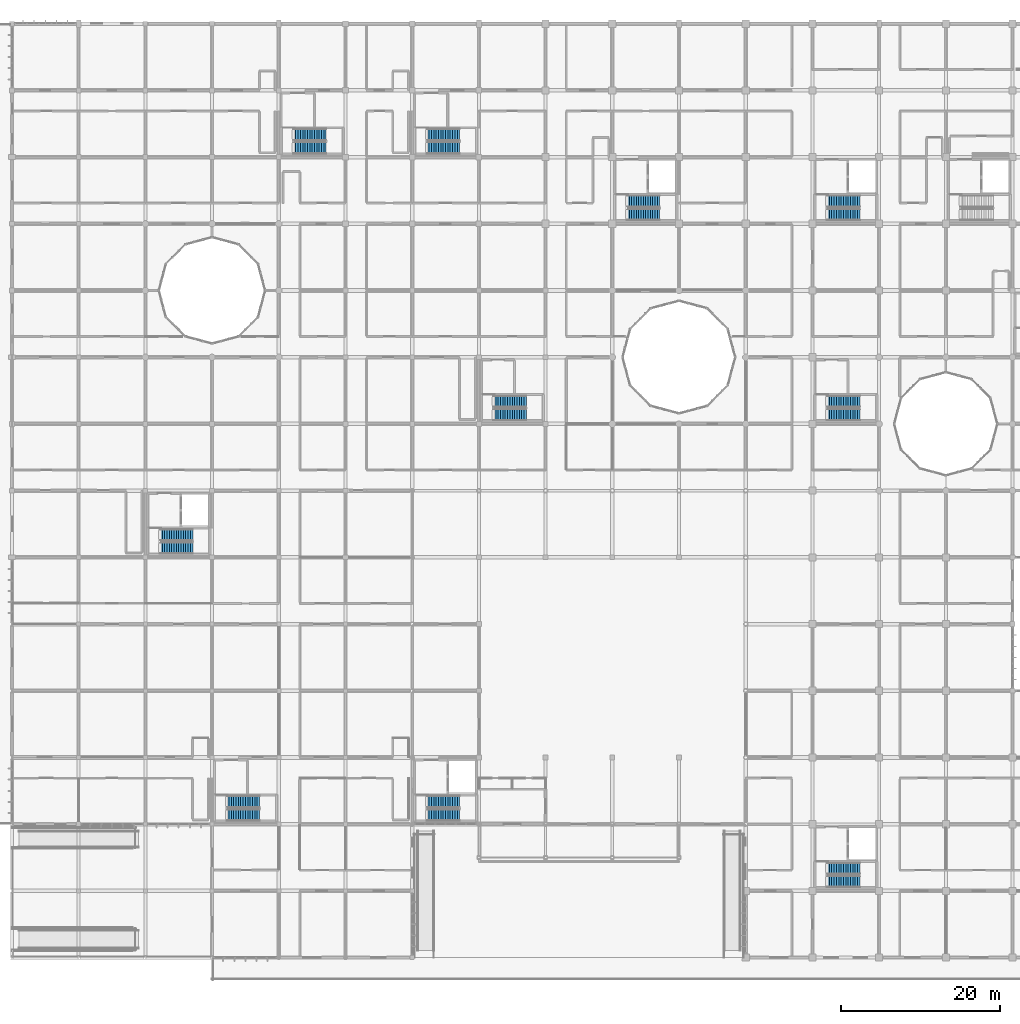
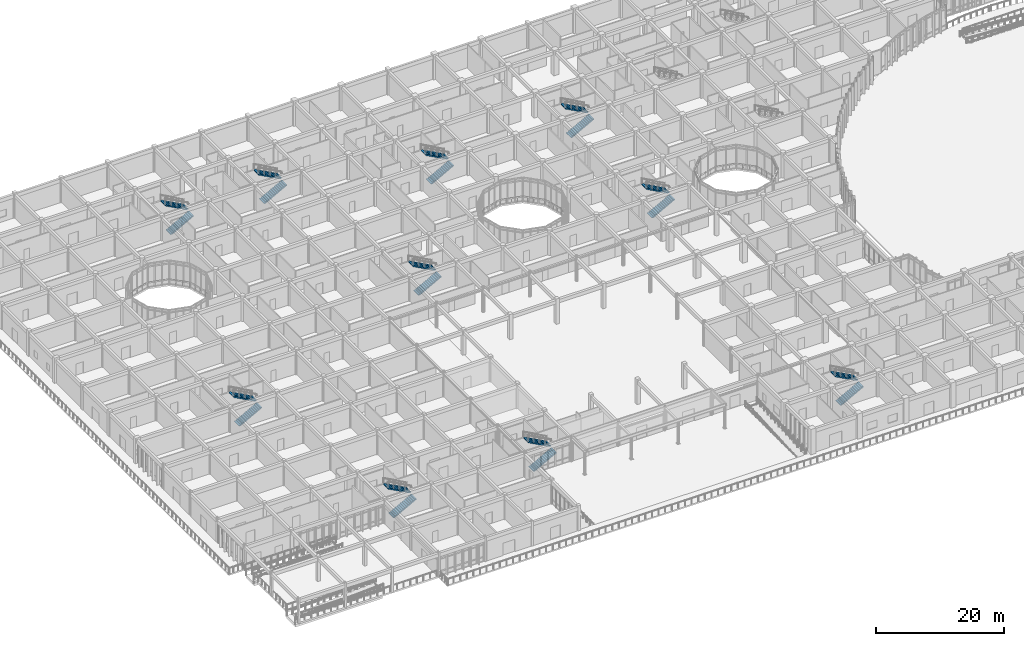
# One storey, part 113 of 138: 20 stair flights, 10 elements without a shape of their own.
"""IFC4 building model written with IfcOpenShell, lengths in metres."""

from ifc_helpers import new_model, si_unit, direction, frame, origin, place, context, subcontext, project, spatial, polyline, outline, extrude, material, type_object, element, aggregate, save


model = new_model("IFC4")

# Units and contexts
model_context = context("Model", 3, precision=1e-05, world=origin(), true_north=direction((0.0, 1.0)))
body_context = subcontext(model_context, "Body", "Model", "MODEL_VIEW")
ifc_project = project(units=[si_unit("LENGTHUNIT", "METRE"), si_unit("AREAUNIT", "SQUARE_METRE"), si_unit("VOLUMEUNIT", "CUBIC_METRE"), si_unit("PLANEANGLEUNIT", "RADIAN"), si_unit("MASSUNIT", "GRAM", prefix="KILO")], contexts=[model_context])

# Site, building, storey
site_placement = place(None, origin())
site = spatial("IfcSite", under=ifc_project, at=site_placement, CompositionType="ELEMENT")
building_placement = place(site_placement, origin())
building = spatial("IfcBuilding", under=site, at=building_placement, Name="Bramfleet General Hospital", CompositionType="ELEMENT")
storey_placement = place(building_placement, origin())
storey = spatial("IfcBuildingStorey", under=building, at=storey_placement, Name="L00", CompositionType="ELEMENT", Elevation=0.0)

# Stair, stair flights
ifc_material = material(Name="Concrete C35/45", Category="concrete")
stair_type = type_object("IfcStairType", Name="STR-T2", PredefinedType="HALF_TURN_STAIR", material=ifc_material)
stair_1_placement = place(storey_placement, origin())
stair_1 = element("IfcStair", 1, at=stair_1_placement, inside=storey, type_object=stair_type, Name="L00 Core C1 (Main Hall & Forecourt) Protected Escape Stair", PredefinedType="HALF_TURN_STAIR")
stair_flight_type = type_object("IfcStairFlightType", Name="STF-T2", PredefinedType="STRAIGHT", material=ifc_material)
stair_flight_1_placement = place(storey_placement, frame((52.239990234375, 17.969970703125, 0.0), z_axis=(0.0, 0.0, 1.0), x_axis=(1.0, 0.0, 0.0)))
stair_flight_1 = element("IfcStairFlight", 2, at=stair_flight_1_placement, type_object=stair_flight_type, Name="ST-C1 flight 1", NumberOfRisers=15, NumberOfTreads=14, PredefinedType="STRAIGHT", RiserHeight=0.16, TreadLength=0.295, context=body_context, shape_type="SweptSolid", body=[
    extrude(outline(polyline([(0.0, 0.0), (0.0, 0.159912109375), (0.294921875, 0.159912109375), (0.294921875, 0.320068359375), (0.590087890625, 0.320068359375), (0.590087890625, 0.47998046875), (0.885009765625, 0.47998046875), (0.885009765625, 0.639892578125), (1.179931640625, 0.639892578125), (1.179931640625, 0.800048828125), (1.47509765625, 0.800048828125), (1.47509765625, 0.9599609375), (1.77001953125, 0.9599609375), (1.77001953125, 1.1201171875), (2.06494140625, 1.1201171875), (2.06494140625, 1.280029296875), (2.360107421875, 1.280029296875), (2.360107421875, 1.43994140625), (2.655029296875, 1.43994140625), (2.655029296875, 1.60009765625), (2.949951171875, 1.60009765625), (2.949951171875, 1.760009765625), (3.2451171875, 1.760009765625), (3.2451171875, 1.919921875), (3.5400390625, 1.919921875), (3.5400390625, 2.080078125), (3.8349609375, 2.080078125), (3.8349609375, 2.239990234375), (4.1298828125, 2.239990234375), (4.1298828125, 2.39990234375), (4.1298828125, 2.05810546875), (0.33544921875, 0.0), (0.0, 0.0)])), frame((0.0, 0.75, 0.0), z_axis=(0.0, -1.0, 0.0), x_axis=(1.0, 0.0, 0.0)), (0.0, 0.0, 1.0), 1.5),
])
stair_flight_2_placement = place(storey_placement, frame((56.3701171875, 19.6298828125, 2.39990234375), z_axis=(0.0, 0.0, 1.0), x_axis=(-1.0, 0.0, 0.0)))
stair_flight_2 = element("IfcStairFlight", 3, at=stair_flight_2_placement, type_object=stair_flight_type, Name="ST-C1 flight 2", NumberOfRisers=15, NumberOfTreads=14, PredefinedType="STRAIGHT", RiserHeight=0.16, TreadLength=0.295, context=body_context, shape_type="SweptSolid", body=[
    extrude(outline(polyline([(0.0, 0.0), (0.0, 0.159912109375), (0.294921875, 0.159912109375), (0.294921875, 0.320068359375), (0.590087890625, 0.320068359375), (0.590087890625, 0.47998046875), (0.885009765625, 0.47998046875), (0.885009765625, 0.639892578125), (1.179931640625, 0.639892578125), (1.179931640625, 0.800048828125), (1.47509765625, 0.800048828125), (1.47509765625, 0.9599609375), (1.77001953125, 0.9599609375), (1.77001953125, 1.1201171875), (2.06494140625, 1.1201171875), (2.06494140625, 1.280029296875), (2.360107421875, 1.280029296875), (2.360107421875, 1.43994140625), (2.655029296875, 1.43994140625), (2.655029296875, 1.60009765625), (2.949951171875, 1.60009765625), (2.949951171875, 1.760009765625), (3.2451171875, 1.760009765625), (3.2451171875, 1.919921875), (3.5400390625, 1.919921875), (3.5400390625, 2.080078125), (3.8349609375, 2.080078125), (3.8349609375, 2.239990234375), (4.1298828125, 2.239990234375), (4.1298828125, 2.39990234375), (4.1298828125, 2.05810546875), (0.33544921875, 0.0), (0.0, 0.0)])), frame((0.0, 0.75, 0.0), z_axis=(0.0, -1.0, 0.0), x_axis=(1.0, 0.0, 0.0)), (0.0, 0.0, 1.0), 1.5),
])
aggregate(stair_1, [stair_flight_1, stair_flight_2])

stair_2_placement = place(storey_placement, origin())
stair_2 = element("IfcStair", 4, at=stair_2_placement, inside=storey, type_object=stair_type, Name="L00 Core C2 (Emergency & Surgical) Protected Escape Stair", PredefinedType="HALF_TURN_STAIR")
stair_flight_3_placement = place(storey_placement, frame((18.639892578125, 51.570068359375, 0.0), z_axis=(0.0, 0.0, 1.0), x_axis=(1.0, 0.0, 0.0)))
stair_flight_3 = element("IfcStairFlight", 5, at=stair_flight_3_placement, type_object=stair_flight_type, Name="ST-C2 flight 1", NumberOfRisers=15, NumberOfTreads=14, PredefinedType="STRAIGHT", RiserHeight=0.16, TreadLength=0.295, context=body_context, shape_type="SweptSolid", body=[
    extrude(outline(polyline([(0.0, 0.0), (0.0, 0.159912109375), (0.294921875, 0.159912109375), (0.294921875, 0.320068359375), (0.590087890625, 0.320068359375), (0.590087890625, 0.47998046875), (0.885009765625, 0.47998046875), (0.885009765625, 0.639892578125), (1.179931640625, 0.639892578125), (1.179931640625, 0.800048828125), (1.47509765625, 0.800048828125), (1.47509765625, 0.9599609375), (1.77001953125, 0.9599609375), (1.77001953125, 1.1201171875), (2.06494140625, 1.1201171875), (2.06494140625, 1.280029296875), (2.360107421875, 1.280029296875), (2.360107421875, 1.43994140625), (2.655029296875, 1.43994140625), (2.655029296875, 1.60009765625), (2.949951171875, 1.60009765625), (2.949951171875, 1.760009765625), (3.2451171875, 1.760009765625), (3.2451171875, 1.919921875), (3.5400390625, 1.919921875), (3.5400390625, 2.080078125), (3.8349609375, 2.080078125), (3.8349609375, 2.239990234375), (4.1298828125, 2.239990234375), (4.1298828125, 2.39990234375), (4.1298828125, 2.05810546875), (0.33544921875, 0.0), (0.0, 0.0)])), frame((0.0, 0.75, 0.0), z_axis=(0.0, -1.0, 0.0), x_axis=(1.0, 0.0, 0.0)), (0.0, 0.0, 1.0), 1.5),
])
stair_flight_4_placement = place(storey_placement, frame((22.77001953125, 53.22998046875, 2.39990234375), z_axis=(0.0, 0.0, 1.0), x_axis=(-1.0, 0.0, 0.0)))
stair_flight_4 = element("IfcStairFlight", 6, at=stair_flight_4_placement, type_object=stair_flight_type, Name="ST-C2 flight 2", NumberOfRisers=15, NumberOfTreads=14, PredefinedType="STRAIGHT", RiserHeight=0.16, TreadLength=0.295, context=body_context, shape_type="SweptSolid", body=[
    extrude(outline(polyline([(0.0, 0.0), (0.0, 0.159912109375), (0.294921875, 0.159912109375), (0.294921875, 0.320068359375), (0.590087890625, 0.320068359375), (0.590087890625, 0.47998046875), (0.885009765625, 0.47998046875), (0.885009765625, 0.639892578125), (1.179931640625, 0.639892578125), (1.179931640625, 0.800048828125), (1.47509765625, 0.800048828125), (1.47509765625, 0.9599609375), (1.77001953125, 0.9599609375), (1.77001953125, 1.1201171875), (2.06494140625, 1.1201171875), (2.06494140625, 1.280029296875), (2.360107421875, 1.280029296875), (2.360107421875, 1.43994140625), (2.655029296875, 1.43994140625), (2.655029296875, 1.60009765625), (2.949951171875, 1.60009765625), (2.949951171875, 1.760009765625), (3.2451171875, 1.760009765625), (3.2451171875, 1.919921875), (3.5400390625, 1.919921875), (3.5400390625, 2.080078125), (3.8349609375, 2.080078125), (3.8349609375, 2.239990234375), (4.1298828125, 2.239990234375), (4.1298828125, 2.39990234375), (4.1298828125, 2.05810546875), (0.33544921875, 0.0), (0.0, 0.0)])), frame((0.0, 0.75, 0.0), z_axis=(0.0, -1.0, 0.0), x_axis=(1.0, 0.0, 0.0)), (0.0, 0.0, 1.0), 1.5),
])
aggregate(stair_2, [stair_flight_3, stair_flight_4])

stair_3_placement = place(storey_placement, origin())
stair_3 = element("IfcStair", 7, at=stair_3_placement, inside=storey, type_object=stair_type, Name="L00 Core C3 (South Ward Wing) Protected Escape Stair", PredefinedType="HALF_TURN_STAIR")
stair_flight_5_placement = place(storey_placement, frame((102.639892578125, 9.570068359375, 0.0), z_axis=(0.0, 0.0, 1.0), x_axis=(1.0, 0.0, 0.0)))
stair_flight_5 = element("IfcStairFlight", 8, at=stair_flight_5_placement, type_object=stair_flight_type, Name="ST-C3 flight 1", NumberOfRisers=15, NumberOfTreads=14, PredefinedType="STRAIGHT", RiserHeight=0.16, TreadLength=0.295, context=body_context, shape_type="SweptSolid", body=[
    extrude(outline(polyline([(0.0, 0.0), (0.0, 0.159912109375), (0.294921875, 0.159912109375), (0.294921875, 0.320068359375), (0.590087890625, 0.320068359375), (0.590087890625, 0.47998046875), (0.885009765625, 0.47998046875), (0.885009765625, 0.639892578125), (1.179931640625, 0.639892578125), (1.179931640625, 0.800048828125), (1.47509765625, 0.800048828125), (1.47509765625, 0.9599609375), (1.77001953125, 0.9599609375), (1.77001953125, 1.1201171875), (2.06494140625, 1.1201171875), (2.06494140625, 1.280029296875), (2.360107421875, 1.280029296875), (2.360107421875, 1.43994140625), (2.655029296875, 1.43994140625), (2.655029296875, 1.60009765625), (2.949951171875, 1.60009765625), (2.949951171875, 1.760009765625), (3.2451171875, 1.760009765625), (3.2451171875, 1.919921875), (3.5400390625, 1.919921875), (3.5400390625, 2.080078125), (3.8349609375, 2.080078125), (3.8349609375, 2.239990234375), (4.1298828125, 2.239990234375), (4.1298828125, 2.39990234375), (4.1298828125, 2.05810546875), (0.33544921875, 0.0), (0.0, 0.0)])), frame((0.0, 0.75, 0.0), z_axis=(0.0, -1.0, 0.0), x_axis=(1.0, 0.0, 0.0)), (0.0, 0.0, 1.0), 1.5),
])
stair_flight_6_placement = place(storey_placement, frame((106.77001953125, 11.22998046875, 2.39990234375), z_axis=(0.0, 0.0, 1.0), x_axis=(-1.0, 0.0, 0.0)))
stair_flight_6 = element("IfcStairFlight", 9, at=stair_flight_6_placement, type_object=stair_flight_type, Name="ST-C3 flight 2", NumberOfRisers=15, NumberOfTreads=14, PredefinedType="STRAIGHT", RiserHeight=0.16, TreadLength=0.295, context=body_context, shape_type="SweptSolid", body=[
    extrude(outline(polyline([(0.0, 0.0), (0.0, 0.159912109375), (0.294921875, 0.159912109375), (0.294921875, 0.320068359375), (0.590087890625, 0.320068359375), (0.590087890625, 0.47998046875), (0.885009765625, 0.47998046875), (0.885009765625, 0.639892578125), (1.179931640625, 0.639892578125), (1.179931640625, 0.800048828125), (1.47509765625, 0.800048828125), (1.47509765625, 0.9599609375), (1.77001953125, 0.9599609375), (1.77001953125, 1.1201171875), (2.06494140625, 1.1201171875), (2.06494140625, 1.280029296875), (2.360107421875, 1.280029296875), (2.360107421875, 1.43994140625), (2.655029296875, 1.43994140625), (2.655029296875, 1.60009765625), (2.949951171875, 1.60009765625), (2.949951171875, 1.760009765625), (3.2451171875, 1.760009765625), (3.2451171875, 1.919921875), (3.5400390625, 1.919921875), (3.5400390625, 2.080078125), (3.8349609375, 2.080078125), (3.8349609375, 2.239990234375), (4.1298828125, 2.239990234375), (4.1298828125, 2.39990234375), (4.1298828125, 2.05810546875), (0.33544921875, 0.0), (0.0, 0.0)])), frame((0.0, 0.75, 0.0), z_axis=(0.0, -1.0, 0.0), x_axis=(1.0, 0.0, 0.0)), (0.0, 0.0, 1.0), 1.5),
])
aggregate(stair_3, [stair_flight_5, stair_flight_6])

stair_4_placement = place(storey_placement, origin())
stair_4 = element("IfcStair", 10, at=stair_4_placement, inside=storey, type_object=stair_type, Name="L00 Core C4 (Central Spine & Helipad Trauma) Protected Escape Stair", PredefinedType="HALF_TURN_STAIR")
stair_flight_7_placement = place(storey_placement, frame((102.639892578125, 93.570068359375, 0.0), z_axis=(0.0, 0.0, 1.0), x_axis=(1.0, 0.0, 0.0)))
stair_flight_7 = element("IfcStairFlight", 11, at=stair_flight_7_placement, type_object=stair_flight_type, Name="ST-C4 flight 1", NumberOfRisers=15, NumberOfTreads=14, PredefinedType="STRAIGHT", RiserHeight=0.16, TreadLength=0.295, context=body_context, shape_type="SweptSolid", body=[
    extrude(outline(polyline([(0.0, 0.0), (0.0, 0.159912109375), (0.294921875, 0.159912109375), (0.294921875, 0.320068359375), (0.590087890625, 0.320068359375), (0.590087890625, 0.47998046875), (0.885009765625, 0.47998046875), (0.885009765625, 0.639892578125), (1.179931640625, 0.639892578125), (1.179931640625, 0.800048828125), (1.47509765625, 0.800048828125), (1.47509765625, 0.9599609375), (1.77001953125, 0.9599609375), (1.77001953125, 1.1201171875), (2.06494140625, 1.1201171875), (2.06494140625, 1.280029296875), (2.360107421875, 1.280029296875), (2.360107421875, 1.43994140625), (2.655029296875, 1.43994140625), (2.655029296875, 1.60009765625), (2.949951171875, 1.60009765625), (2.949951171875, 1.760009765625), (3.2451171875, 1.760009765625), (3.2451171875, 1.919921875), (3.5400390625, 1.919921875), (3.5400390625, 2.080078125), (3.8349609375, 2.080078125), (3.8349609375, 2.239990234375), (4.1298828125, 2.239990234375), (4.1298828125, 2.39990234375), (4.1298828125, 2.05810546875), (0.33544921875, 0.0), (0.0, 0.0)])), frame((0.0, 0.75, 0.0), z_axis=(0.0, -1.0, 0.0), x_axis=(1.0, 0.0, 0.0)), (0.0, 0.0, 1.0), 1.5),
])
stair_flight_8_placement = place(storey_placement, frame((106.77001953125, 95.22998046875, 2.39990234375), z_axis=(0.0, 0.0, 1.0), x_axis=(-1.0, 0.0, 0.0)))
stair_flight_8 = element("IfcStairFlight", 12, at=stair_flight_8_placement, type_object=stair_flight_type, Name="ST-C4 flight 2", NumberOfRisers=15, NumberOfTreads=14, PredefinedType="STRAIGHT", RiserHeight=0.16, TreadLength=0.295, context=body_context, shape_type="SweptSolid", body=[
    extrude(outline(polyline([(0.0, 0.0), (0.0, 0.159912109375), (0.294921875, 0.159912109375), (0.294921875, 0.320068359375), (0.590087890625, 0.320068359375), (0.590087890625, 0.47998046875), (0.885009765625, 0.47998046875), (0.885009765625, 0.639892578125), (1.179931640625, 0.639892578125), (1.179931640625, 0.800048828125), (1.47509765625, 0.800048828125), (1.47509765625, 0.9599609375), (1.77001953125, 0.9599609375), (1.77001953125, 1.1201171875), (2.06494140625, 1.1201171875), (2.06494140625, 1.280029296875), (2.360107421875, 1.280029296875), (2.360107421875, 1.43994140625), (2.655029296875, 1.43994140625), (2.655029296875, 1.60009765625), (2.949951171875, 1.60009765625), (2.949951171875, 1.760009765625), (3.2451171875, 1.760009765625), (3.2451171875, 1.919921875), (3.5400390625, 1.919921875), (3.5400390625, 2.080078125), (3.8349609375, 2.080078125), (3.8349609375, 2.239990234375), (4.1298828125, 2.239990234375), (4.1298828125, 2.39990234375), (4.1298828125, 2.05810546875), (0.33544921875, 0.0), (0.0, 0.0)])), frame((0.0, 0.75, 0.0), z_axis=(0.0, -1.0, 0.0), x_axis=(1.0, 0.0, 0.0)), (0.0, 0.0, 1.0), 1.5),
])
aggregate(stair_4, [stair_flight_7, stair_flight_8])

stair_5_placement = place(storey_placement, origin())
stair_5 = element("IfcStair", 13, at=stair_5_placement, inside=storey, type_object=stair_type, Name="L00 Core C5 (North-West Ward Wing) Protected Escape Stair", PredefinedType="HALF_TURN_STAIR")
stair_flight_9_placement = place(storey_placement, frame((77.43994140625, 93.570068359375, 0.0), z_axis=(0.0, 0.0, 1.0), x_axis=(1.0, 0.0, 0.0)))
stair_flight_9 = element("IfcStairFlight", 14, at=stair_flight_9_placement, type_object=stair_flight_type, Name="ST-C5 flight 1", NumberOfRisers=15, NumberOfTreads=14, PredefinedType="STRAIGHT", RiserHeight=0.16, TreadLength=0.295, context=body_context, shape_type="SweptSolid", body=[
    extrude(outline(polyline([(0.0, 0.0), (0.0, 0.159912109375), (0.294921875, 0.159912109375), (0.294921875, 0.320068359375), (0.590087890625, 0.320068359375), (0.590087890625, 0.47998046875), (0.885009765625, 0.47998046875), (0.885009765625, 0.639892578125), (1.179931640625, 0.639892578125), (1.179931640625, 0.800048828125), (1.47509765625, 0.800048828125), (1.47509765625, 0.9599609375), (1.77001953125, 0.9599609375), (1.77001953125, 1.1201171875), (2.06494140625, 1.1201171875), (2.06494140625, 1.280029296875), (2.360107421875, 1.280029296875), (2.360107421875, 1.43994140625), (2.655029296875, 1.43994140625), (2.655029296875, 1.60009765625), (2.949951171875, 1.60009765625), (2.949951171875, 1.760009765625), (3.2451171875, 1.760009765625), (3.2451171875, 1.919921875), (3.5400390625, 1.919921875), (3.5400390625, 2.080078125), (3.8349609375, 2.080078125), (3.8349609375, 2.239990234375), (4.1298828125, 2.239990234375), (4.1298828125, 2.39990234375), (4.1298828125, 2.05810546875), (0.33544921875, 0.0), (0.0, 0.0)])), frame((0.0, 0.75, 0.0), z_axis=(0.0, -1.0, 0.0), x_axis=(1.0, 0.0, 0.0)), (0.0, 0.0, 1.0), 1.5),
])
stair_flight_10_placement = place(storey_placement, frame((81.570068359375, 95.22998046875, 2.39990234375), z_axis=(0.0, 0.0, 1.0), x_axis=(-1.0, 0.0, 0.0)))
stair_flight_10 = element("IfcStairFlight", 15, at=stair_flight_10_placement, type_object=stair_flight_type, Name="ST-C5 flight 2", NumberOfRisers=15, NumberOfTreads=14, PredefinedType="STRAIGHT", RiserHeight=0.16, TreadLength=0.295, context=body_context, shape_type="SweptSolid", body=[
    extrude(outline(polyline([(0.0, 0.0), (0.0, 0.159912109375), (0.294921875, 0.159912109375), (0.294921875, 0.320068359375), (0.590087890625, 0.320068359375), (0.590087890625, 0.47998046875), (0.885009765625, 0.47998046875), (0.885009765625, 0.639892578125), (1.179931640625, 0.639892578125), (1.179931640625, 0.800048828125), (1.47509765625, 0.800048828125), (1.47509765625, 0.9599609375), (1.77001953125, 0.9599609375), (1.77001953125, 1.1201171875), (2.06494140625, 1.1201171875), (2.06494140625, 1.280029296875), (2.360107421875, 1.280029296875), (2.360107421875, 1.43994140625), (2.655029296875, 1.43994140625), (2.655029296875, 1.60009765625), (2.949951171875, 1.60009765625), (2.949951171875, 1.760009765625), (3.2451171875, 1.760009765625), (3.2451171875, 1.919921875), (3.5400390625, 1.919921875), (3.5400390625, 2.080078125), (3.8349609375, 2.080078125), (3.8349609375, 2.239990234375), (4.1298828125, 2.239990234375), (4.1298828125, 2.39990234375), (4.1298828125, 2.05810546875), (0.33544921875, 0.0), (0.0, 0.0)])), frame((0.0, 0.75, 0.0), z_axis=(0.0, -1.0, 0.0), x_axis=(1.0, 0.0, 0.0)), (0.0, 0.0, 1.0), 1.5),
])
aggregate(stair_5, [stair_flight_9, stair_flight_10])

stair_6_placement = place(storey_placement, origin())
stair_6 = element("IfcStair", 16, at=stair_6_placement, inside=storey, type_object=stair_type, Name="L00 Core C7 (South-West Emergency Escape) Protected Escape Stair", PredefinedType="HALF_TURN_STAIR")
stair_flight_11_placement = place(storey_placement, frame((27.0400390625, 17.969970703125, 0.0), z_axis=(0.0, 0.0, 1.0), x_axis=(1.0, 0.0, 0.0)))
stair_flight_11 = element("IfcStairFlight", 17, at=stair_flight_11_placement, type_object=stair_flight_type, Name="ST-C7 flight 1", NumberOfRisers=15, NumberOfTreads=14, PredefinedType="STRAIGHT", RiserHeight=0.16, TreadLength=0.295, context=body_context, shape_type="SweptSolid", body=[
    extrude(outline(polyline([(0.0, 0.0), (0.0, 0.159912109375), (0.294921875, 0.159912109375), (0.294921875, 0.320068359375), (0.590087890625, 0.320068359375), (0.590087890625, 0.47998046875), (0.885009765625, 0.47998046875), (0.885009765625, 0.639892578125), (1.179931640625, 0.639892578125), (1.179931640625, 0.800048828125), (1.47509765625, 0.800048828125), (1.47509765625, 0.9599609375), (1.77001953125, 0.9599609375), (1.77001953125, 1.1201171875), (2.06494140625, 1.1201171875), (2.06494140625, 1.280029296875), (2.360107421875, 1.280029296875), (2.360107421875, 1.43994140625), (2.655029296875, 1.43994140625), (2.655029296875, 1.60009765625), (2.949951171875, 1.60009765625), (2.949951171875, 1.760009765625), (3.2451171875, 1.760009765625), (3.2451171875, 1.919921875), (3.5400390625, 1.919921875), (3.5400390625, 2.080078125), (3.8349609375, 2.080078125), (3.8349609375, 2.239990234375), (4.1298828125, 2.239990234375), (4.1298828125, 2.39990234375), (4.1298828125, 2.05810546875), (0.33544921875, 0.0), (0.0, 0.0)])), frame((0.0, 0.75, 0.0), z_axis=(0.0, -1.0, 0.0), x_axis=(1.0, 0.0, 0.0)), (0.0, 0.0, 1.0), 1.5),
])
stair_flight_12_placement = place(storey_placement, frame((31.169921875, 19.6298828125, 2.39990234375), z_axis=(0.0, 0.0, 1.0), x_axis=(-1.0, 0.0, 0.0)))
stair_flight_12 = element("IfcStairFlight", 18, at=stair_flight_12_placement, type_object=stair_flight_type, Name="ST-C7 flight 2", NumberOfRisers=15, NumberOfTreads=14, PredefinedType="STRAIGHT", RiserHeight=0.16, TreadLength=0.295, context=body_context, shape_type="SweptSolid", body=[
    extrude(outline(polyline([(0.0, 0.0), (0.0, 0.159912109375), (0.294921875, 0.159912109375), (0.294921875, 0.320068359375), (0.590087890625, 0.320068359375), (0.590087890625, 0.47998046875), (0.885009765625, 0.47998046875), (0.885009765625, 0.639892578125), (1.179931640625, 0.639892578125), (1.179931640625, 0.800048828125), (1.47509765625, 0.800048828125), (1.47509765625, 0.9599609375), (1.77001953125, 0.9599609375), (1.77001953125, 1.1201171875), (2.06494140625, 1.1201171875), (2.06494140625, 1.280029296875), (2.360107421875, 1.280029296875), (2.360107421875, 1.43994140625), (2.655029296875, 1.43994140625), (2.655029296875, 1.60009765625), (2.949951171875, 1.60009765625), (2.949951171875, 1.760009765625), (3.2451171875, 1.760009765625), (3.2451171875, 1.919921875), (3.5400390625, 1.919921875), (3.5400390625, 2.080078125), (3.8349609375, 2.080078125), (3.8349609375, 2.239990234375), (4.1298828125, 2.239990234375), (4.1298828125, 2.39990234375), (4.1298828125, 2.05810546875), (0.33544921875, 0.0), (0.0, 0.0)])), frame((0.0, 0.75, 0.0), z_axis=(0.0, -1.0, 0.0), x_axis=(1.0, 0.0, 0.0)), (0.0, 0.0, 1.0), 1.5),
])
aggregate(stair_6, [stair_flight_11, stair_flight_12])

stair_7_placement = place(storey_placement, origin())
stair_7 = element("IfcStair", 19, at=stair_7_placement, inside=storey, type_object=stair_type, Name="L00 Core C8 (North-West Surgical Escape) Protected Escape Stair", PredefinedType="HALF_TURN_STAIR")
stair_flight_13_placement = place(storey_placement, frame((35.43994140625, 101.969970703125, 0.0), z_axis=(0.0, 0.0, 1.0), x_axis=(1.0, 0.0, 0.0)))
stair_flight_13 = element("IfcStairFlight", 20, at=stair_flight_13_placement, type_object=stair_flight_type, Name="ST-C8 flight 1", NumberOfRisers=15, NumberOfTreads=14, PredefinedType="STRAIGHT", RiserHeight=0.16, TreadLength=0.295, context=body_context, shape_type="SweptSolid", body=[
    extrude(outline(polyline([(0.0, 0.0), (0.0, 0.159912109375), (0.294921875, 0.159912109375), (0.294921875, 0.320068359375), (0.590087890625, 0.320068359375), (0.590087890625, 0.47998046875), (0.885009765625, 0.47998046875), (0.885009765625, 0.639892578125), (1.179931640625, 0.639892578125), (1.179931640625, 0.800048828125), (1.47509765625, 0.800048828125), (1.47509765625, 0.9599609375), (1.77001953125, 0.9599609375), (1.77001953125, 1.1201171875), (2.06494140625, 1.1201171875), (2.06494140625, 1.280029296875), (2.360107421875, 1.280029296875), (2.360107421875, 1.43994140625), (2.655029296875, 1.43994140625), (2.655029296875, 1.60009765625), (2.949951171875, 1.60009765625), (2.949951171875, 1.760009765625), (3.2451171875, 1.760009765625), (3.2451171875, 1.919921875), (3.5400390625, 1.919921875), (3.5400390625, 2.080078125), (3.8349609375, 2.080078125), (3.8349609375, 2.239990234375), (4.1298828125, 2.239990234375), (4.1298828125, 2.39990234375), (4.1298828125, 2.05810546875), (0.33544921875, 0.0), (0.0, 0.0)])), frame((0.0, 0.75, 0.0), z_axis=(0.0, -1.0, 0.0), x_axis=(1.0, 0.0, 0.0)), (0.0, 0.0, 1.0), 1.5),
])
stair_flight_14_placement = place(storey_placement, frame((39.570068359375, 103.6298828125, 2.39990234375), z_axis=(0.0, 0.0, 1.0), x_axis=(-1.0, 0.0, 0.0)))
stair_flight_14 = element("IfcStairFlight", 21, at=stair_flight_14_placement, type_object=stair_flight_type, Name="ST-C8 flight 2", NumberOfRisers=15, NumberOfTreads=14, PredefinedType="STRAIGHT", RiserHeight=0.16, TreadLength=0.295, context=body_context, shape_type="SweptSolid", body=[
    extrude(outline(polyline([(0.0, 0.0), (0.0, 0.159912109375), (0.294921875, 0.159912109375), (0.294921875, 0.320068359375), (0.590087890625, 0.320068359375), (0.590087890625, 0.47998046875), (0.885009765625, 0.47998046875), (0.885009765625, 0.639892578125), (1.179931640625, 0.639892578125), (1.179931640625, 0.800048828125), (1.47509765625, 0.800048828125), (1.47509765625, 0.9599609375), (1.77001953125, 0.9599609375), (1.77001953125, 1.1201171875), (2.06494140625, 1.1201171875), (2.06494140625, 1.280029296875), (2.360107421875, 1.280029296875), (2.360107421875, 1.43994140625), (2.655029296875, 1.43994140625), (2.655029296875, 1.60009765625), (2.949951171875, 1.60009765625), (2.949951171875, 1.760009765625), (3.2451171875, 1.760009765625), (3.2451171875, 1.919921875), (3.5400390625, 1.919921875), (3.5400390625, 2.080078125), (3.8349609375, 2.080078125), (3.8349609375, 2.239990234375), (4.1298828125, 2.239990234375), (4.1298828125, 2.39990234375), (4.1298828125, 2.05810546875), (0.33544921875, 0.0), (0.0, 0.0)])), frame((0.0, 0.75, 0.0), z_axis=(0.0, -1.0, 0.0), x_axis=(1.0, 0.0, 0.0)), (0.0, 0.0, 1.0), 1.5),
])
aggregate(stair_7, [stair_flight_13, stair_flight_14])

stair_8_placement = place(storey_placement, origin())
stair_8 = element("IfcStair", 22, at=stair_8_placement, inside=storey, type_object=stair_type, Name="L00 Core C11 (Central Spine Escape) Protected Escape Stair", PredefinedType="HALF_TURN_STAIR")
stair_flight_15_placement = place(storey_placement, frame((102.639892578125, 68.3701171875, 0.0), z_axis=(0.0, 0.0, 1.0), x_axis=(1.0, 0.0, 0.0)))
stair_flight_15 = element("IfcStairFlight", 23, at=stair_flight_15_placement, type_object=stair_flight_type, Name="ST-C11 flight 1", NumberOfRisers=15, NumberOfTreads=14, PredefinedType="STRAIGHT", RiserHeight=0.16, TreadLength=0.295, context=body_context, shape_type="SweptSolid", body=[
    extrude(outline(polyline([(0.0, 0.0), (0.0, 0.159912109375), (0.294921875, 0.159912109375), (0.294921875, 0.320068359375), (0.590087890625, 0.320068359375), (0.590087890625, 0.47998046875), (0.885009765625, 0.47998046875), (0.885009765625, 0.639892578125), (1.179931640625, 0.639892578125), (1.179931640625, 0.800048828125), (1.47509765625, 0.800048828125), (1.47509765625, 0.9599609375), (1.77001953125, 0.9599609375), (1.77001953125, 1.1201171875), (2.06494140625, 1.1201171875), (2.06494140625, 1.280029296875), (2.360107421875, 1.280029296875), (2.360107421875, 1.43994140625), (2.655029296875, 1.43994140625), (2.655029296875, 1.60009765625), (2.949951171875, 1.60009765625), (2.949951171875, 1.760009765625), (3.2451171875, 1.760009765625), (3.2451171875, 1.919921875), (3.5400390625, 1.919921875), (3.5400390625, 2.080078125), (3.8349609375, 2.080078125), (3.8349609375, 2.239990234375), (4.1298828125, 2.239990234375), (4.1298828125, 2.39990234375), (4.1298828125, 2.05810546875), (0.33544921875, 0.0), (0.0, 0.0)])), frame((0.0, 0.75, 0.0), z_axis=(0.0, -1.0, 0.0), x_axis=(1.0, 0.0, 0.0)), (0.0, 0.0, 1.0), 1.5),
])
stair_flight_16_placement = place(storey_placement, frame((106.77001953125, 70.030029296875, 2.39990234375), z_axis=(0.0, 0.0, 1.0), x_axis=(-1.0, 0.0, 0.0)))
stair_flight_16 = element("IfcStairFlight", 24, at=stair_flight_16_placement, type_object=stair_flight_type, Name="ST-C11 flight 2", NumberOfRisers=15, NumberOfTreads=14, PredefinedType="STRAIGHT", RiserHeight=0.16, TreadLength=0.295, context=body_context, shape_type="SweptSolid", body=[
    extrude(outline(polyline([(0.0, 0.0), (0.0, 0.159912109375), (0.294921875, 0.159912109375), (0.294921875, 0.320068359375), (0.590087890625, 0.320068359375), (0.590087890625, 0.47998046875), (0.885009765625, 0.47998046875), (0.885009765625, 0.639892578125), (1.179931640625, 0.639892578125), (1.179931640625, 0.800048828125), (1.47509765625, 0.800048828125), (1.47509765625, 0.9599609375), (1.77001953125, 0.9599609375), (1.77001953125, 1.1201171875), (2.06494140625, 1.1201171875), (2.06494140625, 1.280029296875), (2.360107421875, 1.280029296875), (2.360107421875, 1.43994140625), (2.655029296875, 1.43994140625), (2.655029296875, 1.60009765625), (2.949951171875, 1.60009765625), (2.949951171875, 1.760009765625), (3.2451171875, 1.760009765625), (3.2451171875, 1.919921875), (3.5400390625, 1.919921875), (3.5400390625, 2.080078125), (3.8349609375, 2.080078125), (3.8349609375, 2.239990234375), (4.1298828125, 2.239990234375), (4.1298828125, 2.39990234375), (4.1298828125, 2.05810546875), (0.33544921875, 0.0), (0.0, 0.0)])), frame((0.0, 0.75, 0.0), z_axis=(0.0, -1.0, 0.0), x_axis=(1.0, 0.0, 0.0)), (0.0, 0.0, 1.0), 1.5),
])
aggregate(stair_8, [stair_flight_15, stair_flight_16])

stair_9_placement = place(storey_placement, origin())
stair_9 = element("IfcStair", 25, at=stair_9_placement, inside=storey, type_object=stair_type, Name="L00 Core C13 (Central Diagnostic Base Escape) Protected Escape Stair", PredefinedType="HALF_TURN_STAIR")
stair_flight_17_placement = place(storey_placement, frame((60.639892578125, 68.3701171875, 0.0), z_axis=(0.0, 0.0, 1.0), x_axis=(1.0, 0.0, 0.0)))
stair_flight_17 = element("IfcStairFlight", 26, at=stair_flight_17_placement, type_object=stair_flight_type, Name="ST-C13 flight 1", NumberOfRisers=15, NumberOfTreads=14, PredefinedType="STRAIGHT", RiserHeight=0.16, TreadLength=0.295, context=body_context, shape_type="SweptSolid", body=[
    extrude(outline(polyline([(0.0, 0.0), (0.0, 0.159912109375), (0.294921875, 0.159912109375), (0.294921875, 0.320068359375), (0.590087890625, 0.320068359375), (0.590087890625, 0.47998046875), (0.885009765625, 0.47998046875), (0.885009765625, 0.639892578125), (1.179931640625, 0.639892578125), (1.179931640625, 0.800048828125), (1.47509765625, 0.800048828125), (1.47509765625, 0.9599609375), (1.77001953125, 0.9599609375), (1.77001953125, 1.1201171875), (2.06494140625, 1.1201171875), (2.06494140625, 1.280029296875), (2.360107421875, 1.280029296875), (2.360107421875, 1.43994140625), (2.655029296875, 1.43994140625), (2.655029296875, 1.60009765625), (2.949951171875, 1.60009765625), (2.949951171875, 1.760009765625), (3.2451171875, 1.760009765625), (3.2451171875, 1.919921875), (3.5400390625, 1.919921875), (3.5400390625, 2.080078125), (3.8349609375, 2.080078125), (3.8349609375, 2.239990234375), (4.1298828125, 2.239990234375), (4.1298828125, 2.39990234375), (4.1298828125, 2.05810546875), (0.33544921875, 0.0), (0.0, 0.0)])), frame((0.0, 0.75, 0.0), z_axis=(0.0, -1.0, 0.0), x_axis=(1.0, 0.0, 0.0)), (0.0, 0.0, 1.0), 1.5),
])
stair_flight_18_placement = place(storey_placement, frame((64.77001953125, 70.030029296875, 2.39990234375), z_axis=(0.0, 0.0, 1.0), x_axis=(-1.0, 0.0, 0.0)))
stair_flight_18 = element("IfcStairFlight", 27, at=stair_flight_18_placement, type_object=stair_flight_type, Name="ST-C13 flight 2", NumberOfRisers=15, NumberOfTreads=14, PredefinedType="STRAIGHT", RiserHeight=0.16, TreadLength=0.295, context=body_context, shape_type="SweptSolid", body=[
    extrude(outline(polyline([(0.0, 0.0), (0.0, 0.159912109375), (0.294921875, 0.159912109375), (0.294921875, 0.320068359375), (0.590087890625, 0.320068359375), (0.590087890625, 0.47998046875), (0.885009765625, 0.47998046875), (0.885009765625, 0.639892578125), (1.179931640625, 0.639892578125), (1.179931640625, 0.800048828125), (1.47509765625, 0.800048828125), (1.47509765625, 0.9599609375), (1.77001953125, 0.9599609375), (1.77001953125, 1.1201171875), (2.06494140625, 1.1201171875), (2.06494140625, 1.280029296875), (2.360107421875, 1.280029296875), (2.360107421875, 1.43994140625), (2.655029296875, 1.43994140625), (2.655029296875, 1.60009765625), (2.949951171875, 1.60009765625), (2.949951171875, 1.760009765625), (3.2451171875, 1.760009765625), (3.2451171875, 1.919921875), (3.5400390625, 1.919921875), (3.5400390625, 2.080078125), (3.8349609375, 2.080078125), (3.8349609375, 2.239990234375), (4.1298828125, 2.239990234375), (4.1298828125, 2.39990234375), (4.1298828125, 2.05810546875), (0.33544921875, 0.0), (0.0, 0.0)])), frame((0.0, 0.75, 0.0), z_axis=(0.0, -1.0, 0.0), x_axis=(1.0, 0.0, 0.0)), (0.0, 0.0, 1.0), 1.5),
])
aggregate(stair_9, [stair_flight_17, stair_flight_18])

stair_10_placement = place(storey_placement, origin())
stair_10 = element("IfcStair", 28, at=stair_10_placement, inside=storey, type_object=stair_type, Name="L00 Core C14 (West Ward Wing Escape) Protected Escape Stair", PredefinedType="HALF_TURN_STAIR")
stair_flight_19_placement = place(storey_placement, frame((52.239990234375, 101.969970703125, 0.0), z_axis=(0.0, 0.0, 1.0), x_axis=(1.0, 0.0, 0.0)))
stair_flight_19 = element("IfcStairFlight", 29, at=stair_flight_19_placement, type_object=stair_flight_type, Name="ST-C14 flight 1", NumberOfRisers=15, NumberOfTreads=14, PredefinedType="STRAIGHT", RiserHeight=0.16, TreadLength=0.295, context=body_context, shape_type="SweptSolid", body=[
    extrude(outline(polyline([(0.0, 0.0), (0.0, 0.159912109375), (0.294921875, 0.159912109375), (0.294921875, 0.320068359375), (0.590087890625, 0.320068359375), (0.590087890625, 0.47998046875), (0.885009765625, 0.47998046875), (0.885009765625, 0.639892578125), (1.179931640625, 0.639892578125), (1.179931640625, 0.800048828125), (1.47509765625, 0.800048828125), (1.47509765625, 0.9599609375), (1.77001953125, 0.9599609375), (1.77001953125, 1.1201171875), (2.06494140625, 1.1201171875), (2.06494140625, 1.280029296875), (2.360107421875, 1.280029296875), (2.360107421875, 1.43994140625), (2.655029296875, 1.43994140625), (2.655029296875, 1.60009765625), (2.949951171875, 1.60009765625), (2.949951171875, 1.760009765625), (3.2451171875, 1.760009765625), (3.2451171875, 1.919921875), (3.5400390625, 1.919921875), (3.5400390625, 2.080078125), (3.8349609375, 2.080078125), (3.8349609375, 2.239990234375), (4.1298828125, 2.239990234375), (4.1298828125, 2.39990234375), (4.1298828125, 2.05810546875), (0.33544921875, 0.0), (0.0, 0.0)])), frame((0.0, 0.75, 0.0), z_axis=(0.0, -1.0, 0.0), x_axis=(1.0, 0.0, 0.0)), (0.0, 0.0, 1.0), 1.5),
])
stair_flight_20_placement = place(storey_placement, frame((56.3701171875, 103.6298828125, 2.39990234375), z_axis=(0.0, 0.0, 1.0), x_axis=(-1.0, 0.0, 0.0)))
stair_flight_20 = element("IfcStairFlight", 30, at=stair_flight_20_placement, type_object=stair_flight_type, Name="ST-C14 flight 2", NumberOfRisers=15, NumberOfTreads=14, PredefinedType="STRAIGHT", RiserHeight=0.16, TreadLength=0.295, context=body_context, shape_type="SweptSolid", body=[
    extrude(outline(polyline([(0.0, 0.0), (0.0, 0.159912109375), (0.294921875, 0.159912109375), (0.294921875, 0.320068359375), (0.590087890625, 0.320068359375), (0.590087890625, 0.47998046875), (0.885009765625, 0.47998046875), (0.885009765625, 0.639892578125), (1.179931640625, 0.639892578125), (1.179931640625, 0.800048828125), (1.47509765625, 0.800048828125), (1.47509765625, 0.9599609375), (1.77001953125, 0.9599609375), (1.77001953125, 1.1201171875), (2.06494140625, 1.1201171875), (2.06494140625, 1.280029296875), (2.360107421875, 1.280029296875), (2.360107421875, 1.43994140625), (2.655029296875, 1.43994140625), (2.655029296875, 1.60009765625), (2.949951171875, 1.60009765625), (2.949951171875, 1.760009765625), (3.2451171875, 1.760009765625), (3.2451171875, 1.919921875), (3.5400390625, 1.919921875), (3.5400390625, 2.080078125), (3.8349609375, 2.080078125), (3.8349609375, 2.239990234375), (4.1298828125, 2.239990234375), (4.1298828125, 2.39990234375), (4.1298828125, 2.05810546875), (0.33544921875, 0.0), (0.0, 0.0)])), frame((0.0, 0.75, 0.0), z_axis=(0.0, -1.0, 0.0), x_axis=(1.0, 0.0, 0.0)), (0.0, 0.0, 1.0), 1.5),
])
aggregate(stair_10, [stair_flight_19, stair_flight_20])

save(model, "model.ifc")
